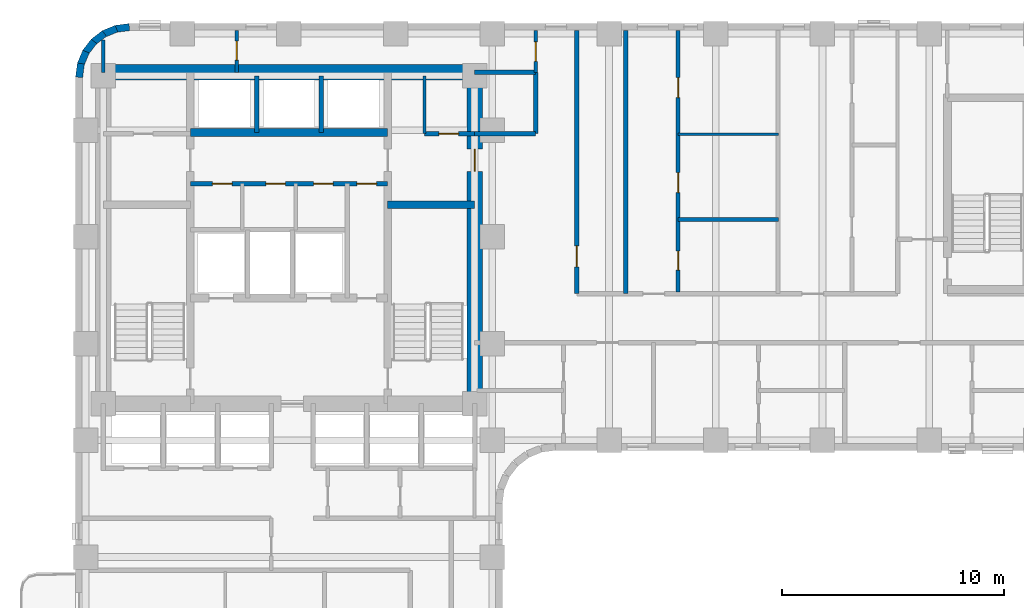
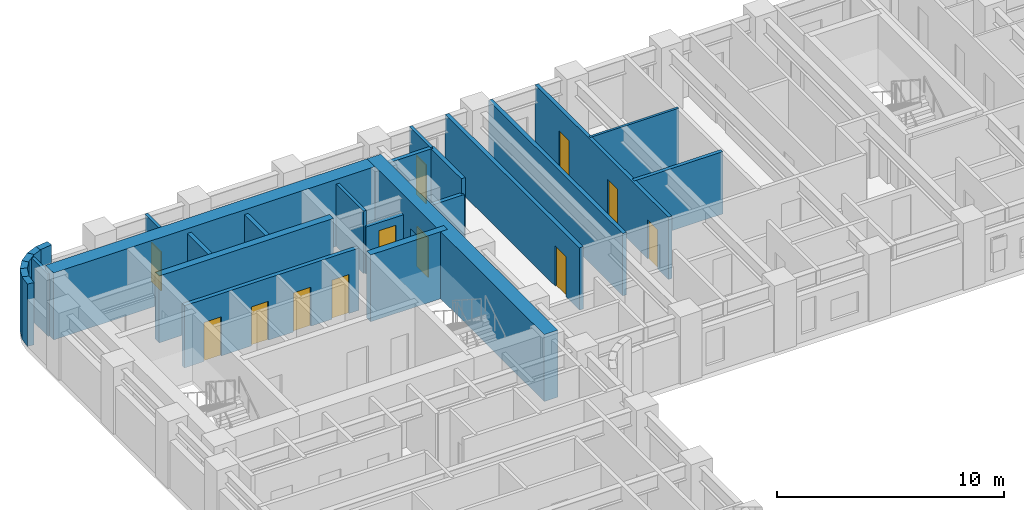
# One storey, part 6 of 11: 26 walls, 12 doors, 12 openings.
"""IFC4 building model written with IfcOpenShell, lengths in metres."""

import ifcopenshell
import ifcopenshell.guid

model = None  # the IFC model being written
_history = None  # IfcOwnerHistory: only IFC2X3 demands one
_inside = {}  # id of a spatial element -> (the spatial element, [elements in it])
_under = {}  # id of a project, library or spatial element -> (it, [spatial elements below it])
_declared = {}  # id of a project -> (the project, [libraries it declares])
_typed = {}  # id of a type object -> (the type object, [elements of that type])
_made_of = {}  # id of a material, layer set ... -> (it, [elements and type objects made of it])


def new_model(schema):
    """Start an empty IFC model of exactly this schema.

    Asked for "IFC4X3", IfcOpenShell would pick the latest addendum, in which some entities
    have other attributes; the version numbers below select the first issue.
    IFC2X3 requires an IfcOwnerHistory on every rooted entity: one is made here for all.
    """
    global model, _history
    if schema == "IFC4X3":
        model = ifcopenshell.file(schema_version=(4, 3, 0, 0))
    else:
        model = ifcopenshell.file(schema=schema)
    _inside.clear()
    _under.clear()
    _declared.clear()
    _typed.clear()
    _made_of.clear()
    _history = None
    if model.schema == "IFC2X3":
        org = make("IfcOrganization", Name="unknown")
        user = make(
            "IfcPersonAndOrganization",
            ThePerson=make("IfcPerson", FamilyName="unknown"),
            TheOrganization=org,
        )
        app = make(
            "IfcApplication",
            ApplicationDeveloper=org,
            Version="unknown",
            ApplicationFullName="unknown",
            ApplicationIdentifier="unknown",
        )
        _history = make(
            "IfcOwnerHistory",
            OwningUser=user,
            OwningApplication=app,
            ChangeAction="ADDED",
            CreationDate=0,
        )
    return model


def make(cls, **values):
    """One entity of the class cls with the attributes given. An attribute that is None is left unset."""
    return model.create_entity(
        cls, **{name: value for name, value in values.items() if value is not None}
    )


def rooted(cls, **values):
    """An entity with a GlobalId (a new one), such as an element, a storey or a relation."""
    return make(cls, GlobalId=ifcopenshell.guid.new(), OwnerHistory=_history, **values)


def si_unit(unit_type, name, prefix=None):
    """IfcSIUnit, for example si_unit("LENGTHUNIT", "METRE", prefix="MILLI")."""
    return make("IfcSIUnit", UnitType=unit_type, Prefix=prefix, Name=name)


def assignment(units):
    """IfcUnitAssignment: the units of a project."""
    return None if units is None else make("IfcUnitAssignment", Units=units)


def point(xyz):
    """IfcCartesianPoint."""
    return None if xyz is None else make("IfcCartesianPoint", Coordinates=xyz)


def direction(xyz):
    """IfcDirection."""
    return None if xyz is None else make("IfcDirection", DirectionRatios=xyz)


def frame(location, z_axis=None, x_axis=None):
    """IfcAxis2Placement3D, a coordinate frame: its origin and axes. An axis left out is left unset."""
    return make(
        "IfcAxis2Placement3D",
        Location=point(location),
        Axis=direction(z_axis),
        RefDirection=direction(x_axis),
    )


def frame_2d(location, x_axis=None):
    """IfcAxis2Placement2D, a coordinate frame in the plane: its origin and x axis."""
    return make(
        "IfcAxis2Placement2D", Location=point(location), RefDirection=direction(x_axis)
    )


def origin():
    """The frame at (0, 0, 0) with its axes left unset."""
    return frame((0.0, 0.0, 0.0))


def place(relative_to, where):
    """IfcLocalPlacement: puts the frame where relative to a parent placement (None: the world)."""
    return make(
        "IfcLocalPlacement", PlacementRelTo=relative_to, RelativePlacement=where
    )


def context(
    kind, dimensions, precision=None, world=None, true_north=None, identifier=None
):
    """IfcGeometricRepresentationContext, for example the 3D "Model" context."""
    return make(
        "IfcGeometricRepresentationContext",
        ContextIdentifier=identifier,
        ContextType=kind,
        CoordinateSpaceDimension=dimensions,
        Precision=precision,
        WorldCoordinateSystem=world,
        TrueNorth=true_north,
    )


def subcontext(parent, identifier, kind, view, scale=None):
    """IfcGeometricRepresentationSubContext, for example "Body" below "Model"."""
    return make(
        "IfcGeometricRepresentationSubContext",
        ContextIdentifier=identifier,
        ContextType=kind,
        ParentContext=parent,
        TargetScale=scale,
        TargetView=view,
    )


def project(units=None, contexts=None):
    """IfcProject with its units and contexts."""
    return rooted(
        "IfcProject",
        Name="project",
        RepresentationContexts=contexts,
        UnitsInContext=assignment(units),
    )


def spatial(cls, under=None, at=None, **own):
    """A site, building, storey or space (cls), placed at a placement, below another one or the project."""
    s = rooted(cls, ObjectPlacement=at, **own)
    if under is not None:
        _under.setdefault(under.id(), (under, []))[1].append(s)
    return s


def profile(cls, at=None, kind="AREA", **sizes):
    """A parametric profile (cls). Its sizes go by their IFC names, for example OverallWidth=200.0."""
    return make(cls, ProfileType=kind, Position=at, **sizes)


def rectangle(**sizes):
    """IfcRectangleProfileDef."""
    return profile("IfcRectangleProfileDef", **sizes)


def extrude(swept, where, along, depth):
    """IfcExtrudedAreaSolid: the profile swept, set in the frame where, extruded along a direction by depth."""
    return make(
        "IfcExtrudedAreaSolid",
        SweptArea=swept,
        Position=where,
        ExtrudedDirection=direction(along),
        Depth=depth,
    )


def shape(context_of_items, identifier, shape_type, items):
    """IfcShapeRepresentation: the items that make up one representation, for example the "Body"."""
    return make(
        "IfcShapeRepresentation",
        ContextOfItems=context_of_items,
        RepresentationIdentifier=identifier,
        RepresentationType=shape_type,
        Items=items,
    )


def material(Name=None, Category=None):
    """IfcMaterial."""
    return make("IfcMaterial", Name=Name, Category=Category)


def layer(
    of_material, thickness, ventilated=None, Name=None, Category=None, Priority=None
):
    """IfcMaterialLayer: one layer of a wall or slab, of a material (None: an air gap)."""
    return make(
        "IfcMaterialLayer",
        Material=of_material,
        LayerThickness=thickness,
        IsVentilated=ventilated,
        Name=Name,
        Category=Category,
        Priority=Priority,
    )


def layer_set(layers, Name=None):
    """IfcMaterialLayerSet."""
    return make("IfcMaterialLayerSet", MaterialLayers=layers, LayerSetName=Name)


def made_of(thing, what):
    """Note that an element or type object is made of a material, layer set ...; save() writes the relation."""
    if what is not None:
        _made_of.setdefault(what.id(), (what, []))[1].append(thing)
    return thing


def type_object(cls, material=None, **own):
    """A type object (cls), such as IfcWallType, which elements share."""
    return made_of(rooted(cls, **own), material)


def element(
    cls,
    number,
    at=None,
    inside=None,
    cuts=None,
    type_object=None,
    material=None,
    context=None,
    identifier="Body",
    shape_type=None,
    held_by="IfcProductDefinitionShape",
    body=None,
    shapes=None,
    **own,
):
    """One element of the class cls, such as IfcWall. Its Tag is "e" and its number.

    at: its placement. inside: the storey or other place that contains it. cuts: it is an
    opening in that element (IfcRelVoidsElement). A single representation is given by context,
    identifier, shape_type and body (its items); several are given by shapes. held_by: the class
    of the entity that holds the representations. save() writes the other relations.
    """
    e = rooted(cls, Tag="e%d" % number, ObjectPlacement=at, **own)
    if body is not None:
        shapes = [shape(context, identifier, shape_type, body)]
    if shapes is not None:
        e.Representation = make(held_by, Representations=shapes)
    if inside is not None:
        _inside.setdefault(inside.id(), (inside, []))[1].append(e)
    if cuts is not None:
        rooted(
            "IfcRelVoidsElement", RelatingBuildingElement=cuts, RelatedOpeningElement=e
        )
    if type_object is not None:
        _typed.setdefault(type_object.id(), (type_object, []))[1].append(e)
    return made_of(e, material)


def fill(opening, filler):
    """IfcRelFillsElement: the door or window that sits in an opening."""
    return rooted(
        "IfcRelFillsElement",
        RelatingOpeningElement=opening,
        RelatedBuildingElement=filler,
    )


def aggregate(whole, parts):
    """IfcRelAggregates: a whole, such as a stair, and the parts it consists of."""
    return rooted("IfcRelAggregates", RelatingObject=whole, RelatedObjects=parts)


def save(model, path):
    """Write the relations noted so far, then the file.

    IfcRelAggregates (storeys below a building ...), IfcRelContainedInSpatialStructure (elements
    in a storey), IfcRelDefinesByType, IfcRelAssociatesMaterial and IfcRelDeclares: one each for
    every whole, place, type object, material and project.
    """
    for whole, parts in _under.values():
        aggregate(whole, parts)
    for where, things in _inside.values():
        rooted(
            "IfcRelContainedInSpatialStructure",
            RelatedElements=things,
            RelatingStructure=where,
        )
    for kind, things in _typed.values():
        rooted("IfcRelDefinesByType", RelatedObjects=things, RelatingType=kind)
    for what, things in _made_of.values():
        rooted("IfcRelAssociatesMaterial", RelatedObjects=things, RelatingMaterial=what)
    for by, libraries in _declared.values():
        rooted("IfcRelDeclares", RelatingContext=by, RelatedDefinitions=libraries)
    model.write(path)


model = new_model("IFC4")

# Units and contexts
model_context = context("Model", 3, precision=1e-05, world=origin(), true_north=direction((0.0, 1.0)))
body_context = subcontext(model_context, "Body", "Model", "MODEL_VIEW")
ifc_project = project(units=[si_unit("LENGTHUNIT", "METRE"), si_unit("AREAUNIT", "SQUARE_METRE"), si_unit("VOLUMEUNIT", "CUBIC_METRE"), si_unit("PLANEANGLEUNIT", "RADIAN"), si_unit("MASSUNIT", "GRAM", prefix="KILO")], contexts=[model_context])

# Site, building, storey
site_placement = place(None, origin())
site = spatial("IfcSite", under=ifc_project, at=site_placement, CompositionType="ELEMENT")
building_placement = place(site_placement, origin())
building = spatial("IfcBuilding", under=site, at=building_placement, Name="Orvandelia Arch Residences", CompositionType="ELEMENT")
storey_placement = place(building_placement, frame((0.0, 0.0, 79.0)))
storey = spatial("IfcBuildingStorey", under=building, at=storey_placement, Name="L20", CompositionType="ELEMENT", Elevation=79.0)

# Walls
ifc_material_1 = material(Name="Concrete C50/60", Category="concrete")
ifc_layer_1 = layer(ifc_material_1, 0.35009765625, Name="Concrete C50/60", Category="concrete")
ifc_layer_set_1 = layer_set([ifc_layer_1], Name="Concrete C50/60")
wall_type_1 = type_object("IfcWallType", Name="WL-CORE-350", PredefinedType="SHEAR", material=ifc_layer_set_1)
wall_1_placement = place(storey_placement, frame((18.840087890625, 39.85009765625, 0.0), z_axis=(0.0, 0.0, 1.0), x_axis=(1.0, 0.0, 0.0)))
element("IfcWall", 1, at=wall_1_placement, inside=storey, type_object=wall_type_1, Name="Core Shear Wall L20-HZ2", PredefinedType="SHEAR", context=body_context, shape_type="SweptSolid", body=[
    extrude(rectangle(XDim=3.909912109375, YDim=0.35009765625, at=frame_2d((1.955078125, 0.0))), origin(), (0.0, 0.0, 1.0), 3.60009765625),
])
wall_2_placement = place(storey_placement, frame((9.9599609375, 43.10009765625, 0.0), z_axis=(0.0, 0.0, 1.0), x_axis=(1.0, 0.0, 0.0)))
element("IfcWall", 2, at=wall_2_placement, inside=storey, type_object=wall_type_1, Name="Core Shear Wall L20-HZ4", PredefinedType="SHEAR", context=body_context, shape_type="SweptSolid", body=[
    extrude(rectangle(XDim=8.880126953125, YDim=0.35009765625, at=frame_2d((4.43994140625, 0.0))), origin(), (0.0, 0.0, 1.0), 3.60009765625),
])

# Wall, opening, door
ifc_material_2 = material(Name="Concrete C80/95", Category="concrete")
ifc_layer_2 = layer(ifc_material_2, 0.699951171875, Name="Concrete C80/95", Category="concrete")
ifc_layer_set_2 = layer_set([ifc_layer_2], Name="Concrete C80/95")
wall_type_2 = type_object("IfcWallType", Name="WL-CORE-700", PredefinedType="SHEAR", material=ifc_layer_set_2)
wall_3_placement = place(storey_placement, frame((22.75, 30.550048828125, 0.0), z_axis=(0.0, 0.0, 1.0), x_axis=(0.0, 1.0, 0.0)))
wall_3 = element("IfcWall", 3, at=wall_3_placement, inside=storey, type_object=wall_type_2, Name="Core Shear Wall L20-E", PredefinedType="SHEAR", context=body_context, shape_type="SweptSolid", body=[
    extrude(rectangle(XDim=15.599853515625, YDim=0.699951171875, at=frame_2d((7.7998046875, 0.0))), origin(), (0.0, 0.0, 1.0), 3.60009765625),
])
opening_1_placement = place(wall_3_placement, frame((10.800048828125, 0.0, 0.0)))
opening_1 = element("IfcOpeningElement", 4, at=opening_1_placement, cuts=wall_3, Name="Opening D6", PredefinedType="OPENING", context=body_context, shape_type="SweptSolid", body=[
    extrude(rectangle(XDim=1.0, YDim=2.14990234375, at=frame_2d((0.5, 1.074951171875))), frame((0.0, 0.35986328125, 0.0), z_axis=(0.0, -1.0, 0.0), x_axis=(1.0, 0.0, 0.0)), (0.0, 0.0, 1.0), 0.719970703125),
])
ifc_material_3 = material(Name="Smokeproof Painted Steel Fire Door", Category="steel")
door_type_1 = type_object("IfcDoorType", Name="DR-FD60-1000", OperationType="NOTDEFINED", PredefinedType="DOOR", material=ifc_material_3)
door_1_placement = place(opening_1_placement, origin())
door_1 = element("IfcDoor", 5, at=door_1_placement, inside=storey, type_object=door_type_1, Name="Core East Corridor Link Door L20", OperationType="SINGLE_SWING_LEFT", OverallHeight=2.14990234375, OverallWidth=1.0, PredefinedType="DOOR", context=body_context, shape_type="SweptSolid", body=[
    extrude(rectangle(XDim=1.0, YDim=2.14990234375, at=frame_2d((0.5, 1.074951171875))), frame((0.0, 0.02490234375, 0.0), z_axis=(0.0, -1.0, 0.0), x_axis=(1.0, 0.0, 0.0)), (0.0, 0.0, 1.0), 0.050048828125),
])
fill(opening_1, door_1)

# Walls
wall_4_placement = place(storey_placement, frame((6.050048828125, 45.800048828125, 0.0), z_axis=(0.0, 0.0, 1.0), x_axis=(1.0, 0.0, 0.0)))
element("IfcWall", 6, at=wall_4_placement, inside=storey, type_object=wall_type_2, Name="Core Shear Wall L20-N", PredefinedType="SHEAR", context=body_context, shape_type="SweptSolid", body=[
    extrude(rectangle(XDim=16.699951171875, YDim=0.699951171875, at=frame_2d((8.35009765625, 0.0))), origin(), (0.0, 0.0, 1.0), 3.60009765625),
])
ifc_material_4 = material(Name="Fire-Rated Corridor Partition")
ifc_layer_3 = layer(ifc_material_4, 0.199951171875, Name="Fire-Rated Corridor Partition")
ifc_layer_set_3 = layer_set([ifc_layer_3], Name="Fire-Rated Corridor Partition")
wall_type_3 = type_object("IfcWallType", Name="WL-CORR-200", PredefinedType="PARTITIONING", material=ifc_layer_set_3)
wall_5_placement = place(storey_placement, frame((22.75, 45.800048828125, 0.0), z_axis=(0.0, 0.0, 1.0), x_axis=(1.0, 0.0, 0.0)))
element("IfcWall", 7, at=wall_5_placement, inside=storey, type_object=wall_type_3, Name="Interior Partition Wall WL-L20-NCE-S", PredefinedType="PARTITIONING", context=body_context, shape_type="SweptSolid", body=[
    extrude(rectangle(XDim=2.75, YDim=0.199951171875, at=frame_2d((1.375, 0.0))), origin(), (0.0, 0.0, 1.0), 3.35009765625),
])

# Wall, opening, door
wall_6_placement = place(storey_placement, frame((27.35009765625, 35.85009765625, 0.0), z_axis=(0.0, 0.0, 1.0), x_axis=(0.0, 1.0, 0.0)))
wall_6 = element("IfcWall", 8, at=wall_6_placement, inside=storey, type_object=wall_type_3, Name="Interior Partition Wall WL-L20-ES-NCE", PredefinedType="PARTITIONING", context=body_context, shape_type="SweptSolid", body=[
    extrude(rectangle(XDim=11.829833984375, YDim=0.199951171875, at=frame_2d((5.9150390625, 0.0))), origin(), (0.0, 0.0, 1.0), 3.35009765625),
])
opening_2_placement = place(wall_6_placement, frame((1.199951171875, 0.0, 0.0)))
opening_2 = element("IfcOpeningElement", 9, at=opening_2_placement, cuts=wall_6, Name="Opening D2", PredefinedType="OPENING", context=body_context, shape_type="SweptSolid", body=[
    extrude(rectangle(XDim=0.949951171875, YDim=2.14990234375, at=frame_2d((0.47509765625, 1.074951171875))), frame((0.0, 0.10986328125, 0.0), z_axis=(0.0, -1.0, 0.0), x_axis=(1.0, 0.0, 0.0)), (0.0, 0.0, 1.0), 0.219970703125),
])
ifc_material_5 = material(Name="Solid-Core Timber Interior Fire Door", Category="wood")
door_type_2 = type_object("IfcDoorType", Name="DR-APT-950", OperationType="NOTDEFINED", PredefinedType="DOOR", material=ifc_material_5)
door_2_placement = place(opening_2_placement, origin())
door_2 = element("IfcDoor", 10, at=door_2_placement, inside=storey, type_object=door_type_2, Name="DR-L20-ESLDY", OperationType="SINGLE_SWING_RIGHT", OverallHeight=2.14990234375, OverallWidth=0.949951171875, PredefinedType="DOOR", context=body_context, shape_type="SweptSolid", body=[
    extrude(rectangle(XDim=0.949951171875, YDim=2.14990234375, at=frame_2d((0.47509765625, 1.074951171875))), frame((0.0, 0.02490234375, 0.0), z_axis=(0.0, -1.0, 0.0), x_axis=(1.0, 0.0, 0.0)), (0.0, 0.0, 1.0), 0.050048828125),
])
fill(opening_2, door_2)

# Walls
wall_7_placement = place(storey_placement, frame((22.75, 43.050048828125, 0.0), z_axis=(0.0, 0.0, 1.0), x_axis=(1.0, 0.0, 0.0)))
element("IfcWall", 11, at=wall_7_placement, inside=storey, type_object=wall_type_3, Name="Interior Partition Wall WL-L20-ES-LS", PredefinedType="PARTITIONING", context=body_context, shape_type="SweptSolid", body=[
    extrude(rectangle(XDim=2.75, YDim=0.199951171875, at=frame_2d((1.375, 0.0))), origin(), (0.0, 0.0, 1.0), 2.530029296875),
])
wall_8_placement = place(storey_placement, frame((25.5, 43.050048828125, 0.0), z_axis=(0.0, 0.0, 1.0), x_axis=(0.0, 1.0, 0.0)))
element("IfcWall", 12, at=wall_8_placement, inside=storey, type_object=wall_type_3, Name="Interior Partition Wall WL-L20-ES-LW2", PredefinedType="PARTITIONING", context=body_context, shape_type="SweptSolid", body=[
    extrude(rectangle(XDim=2.75, YDim=0.199951171875, at=frame_2d((1.375, 0.0))), origin(), (0.0, 0.0, 1.0), 3.35009765625),
])
ifc_material_6 = material(Name="Concrete C40/50", Category="concrete")
ifc_layer_4 = layer(ifc_material_6, 0.199951171875, Name="Concrete C40/50", Category="concrete")
ifc_layer_set_4 = layer_set([ifc_layer_4], Name="Concrete C40/50")
wall_type_4 = type_object("IfcWallType", Name="WL-DEM-200", PredefinedType="SOLIDWALL", material=ifc_layer_set_4)
wall_9_placement = place(storey_placement, frame((29.550048828125, 35.85009765625, 0.0), z_axis=(0.0, 0.0, 1.0), x_axis=(0.0, 1.0, 0.0)))
element("IfcWall", 13, at=wall_9_placement, inside=storey, type_object=wall_type_4, Name="Interior Partition Wall WL-L20-ES-LDE", PredefinedType="SOLIDWALL", context=body_context, shape_type="SweptSolid", body=[
    extrude(rectangle(XDim=11.829833984375, YDim=0.199951171875, at=frame_2d((5.9150390625, 0.0))), origin(), (0.0, 0.0, 1.0), 3.35009765625),
])
ifc_material_7 = material(Name="Precast concrete C40/50", Category="concrete")
ifc_layer_5 = layer(ifc_material_7, 0.320068359375, Name="Precast concrete C40/50", Category="concrete")
ifc_layer_set_5 = layer_set([ifc_layer_5], Name="Precast concrete C40/50")
wall_type_5 = type_object("IfcWallType", Name="WL-EXT-STONE-320", PredefinedType="STANDARD", material=ifc_layer_set_5)
for number, where, z_axis, x_axis, name in (
    (14, (4.95849609375, 45.5791015625, 0.0), (0.0, 0.0, 1.0), (0.130555323746, 0.9914410257, 0.0), "Coral-Limestone Precast Facade Wall L20-001"),
    (15, (5.029541015625, 46.159912109375, 0.0), (0.0, 0.0, 1.0), (0.382650053678, 0.92389335771, 0.0), "Coral-Limestone Precast Facade Wall L20-002"),
):
    element("IfcWall", number, at=place(storey_placement, frame(where, z_axis=z_axis, x_axis=x_axis)), inside=storey, type_object=wall_type_5, Name=name, PredefinedType="STANDARD", context=body_context, shape_type="SweptSolid", body=[
        extrude(rectangle(XDim=0.62646484375, YDim=0.320068359375, at=frame_2d((0.313232421875, 0.0))), origin(), (0.0, 0.0, 1.0), 3.35009765625),
    ])
wall_10_placement = place(storey_placement, frame((5.248291015625, 46.70263671875, 0.0), z_axis=(0.0, 0.0, 1.0), x_axis=(0.608938521285, 0.7932174212, 0.0)))
element("IfcWall", 16, at=wall_10_placement, inside=storey, type_object=wall_type_5, Name="Coral-Limestone Precast Facade Wall L20-003", PredefinedType="STANDARD", context=body_context, shape_type="SweptSolid", body=[
    extrude(rectangle(XDim=0.626708984375, YDim=0.320068359375, at=frame_2d((0.3134765625, 0.0))), origin(), (0.0, 0.0, 1.0), 3.35009765625),
])
wall_11_placement = place(storey_placement, frame((5.600341796875, 47.170166015625, 0.0), z_axis=(0.0, 0.0, 1.0), x_axis=(0.793405610854, 0.608693302629, 0.0)))
element("IfcWall", 17, at=wall_11_placement, inside=storey, type_object=wall_type_5, Name="Coral-Limestone Precast Facade Wall L20-004", PredefinedType="STANDARD", context=body_context, shape_type="SweptSolid", body=[
    extrude(rectangle(XDim=0.62646484375, YDim=0.320068359375, at=frame_2d((0.313232421875, 0.0))), origin(), (0.0, 0.0, 1.0), 3.35009765625),
])
wall_12_placement = place(storey_placement, frame((6.061279296875, 47.53076171875, 0.0), z_axis=(0.0, 0.0, 1.0), x_axis=(0.923836271867, 0.382787856107, 0.0)))
element("IfcWall", 18, at=wall_12_placement, inside=storey, type_object=wall_type_5, Name="Coral-Limestone Precast Facade Wall L20-005", PredefinedType="STANDARD", context=body_context, shape_type="SweptSolid", body=[
    extrude(rectangle(XDim=0.626220703125, YDim=0.320068359375, at=frame_2d((0.31298828125, 0.0))), origin(), (0.0, 0.0, 1.0), 3.35009765625),
])
wall_13_placement = place(storey_placement, frame((6.599609375, 47.759521484375, 0.0), z_axis=(0.0, 0.0, 1.0), x_axis=(0.991447664465, 0.130504898859, 0.0)))
element("IfcWall", 19, at=wall_13_placement, inside=storey, type_object=wall_type_5, Name="Coral-Limestone Precast Facade Wall L20-006", PredefinedType="STANDARD", context=body_context, shape_type="SweptSolid", body=[
    extrude(rectangle(XDim=0.626708984375, YDim=0.320068359375, at=frame_2d((0.3134765625, 0.0))), origin(), (0.0, 0.0, 1.0), 3.35009765625),
])
ifc_material_8 = material(Name="Lightweight Gypsum Stud Partition")
ifc_layer_6 = layer(ifc_material_8, 0.1201171875, Name="Lightweight Gypsum Stud Partition")
ifc_layer_set_6 = layer_set([ifc_layer_6], Name="Lightweight Gypsum Stud Partition")
wall_type_6 = type_object("IfcWallType", Name="WL-PART-120", PredefinedType="PARTITIONING", material=ifc_layer_set_6)
wall_14_placement = place(storey_placement, frame((31.909912109375, 43.01611328125, 0.0), z_axis=(0.0, 0.0, 1.0), x_axis=(1.0, 0.0, 0.0)))
element("IfcWall", 20, at=wall_14_placement, inside=storey, type_object=wall_type_6, Name="Interior Partition Wall WL-L20-U08-H2", PredefinedType="PARTITIONING", context=body_context, shape_type="SweptSolid", body=[
    extrude(rectangle(XDim=4.510009765625, YDim=0.1201171875, at=frame_2d((2.2548828125, 0.0))), origin(), (0.0, 0.0, 1.0), 3.35009765625),
])
ifc_material_9 = material(Name="Acoustic Gypsum Stud Partition")
ifc_layer_7 = layer(ifc_material_9, 0.14990234375, Name="Acoustic Gypsum Stud Partition")
ifc_layer_set_7 = layer_set([ifc_layer_7], Name="Acoustic Gypsum Stud Partition")
wall_type_7 = type_object("IfcWallType", Name="WL-PART-150", PredefinedType="PARTITIONING", material=ifc_layer_set_7)
wall_15_placement = place(storey_placement, frame((20.5, 43.050048828125, 0.0), z_axis=(0.0, 0.0, 1.0), x_axis=(0.0, 1.0, 0.0)))
element("IfcWall", 21, at=wall_15_placement, inside=storey, type_object=wall_type_7, Name="Interior Partition Wall WL-L20-CSB-2W", PredefinedType="PARTITIONING", context=body_context, shape_type="SweptSolid", body=[
    extrude(rectangle(XDim=2.599853515625, YDim=0.14990234375, at=frame_2d((1.2998046875, 0.0))), origin(), (0.0, 0.0, 1.0), 3.35009765625),
])

# Wall, opening, door
wall_16_placement = place(storey_placement, frame((25.5, 45.800048828125, 0.0), z_axis=(0.0, 0.0, 1.0), x_axis=(0.0, 1.0, 0.0)))
wall_16 = element("IfcWall", 22, at=wall_16_placement, inside=storey, type_object=wall_type_7, Name="Interior Partition Wall WL-L20-NCE-W", PredefinedType="PARTITIONING", context=body_context, shape_type="SweptSolid", body=[
    extrude(rectangle(XDim=1.8798828125, YDim=0.14990234375, at=frame_2d((0.93994140625, 0.0))), origin(), (0.0, 0.0, 1.0), 3.35009765625),
])
opening_3_placement = place(wall_16_placement, frame((0.5, 0.0, 0.0)))
opening_3 = element("IfcOpeningElement", 23, at=opening_3_placement, cuts=wall_16, Name="Opening D5", PredefinedType="OPENING", context=body_context, shape_type="SweptSolid", body=[
    extrude(rectangle(XDim=0.8798828125, YDim=2.10009765625, at=frame_2d((0.43994140625, 1.050048828125))), frame((0.0, 0.0849609375, 0.0), z_axis=(0.0, -1.0, 0.0), x_axis=(1.0, 0.0, 0.0)), (0.0, 0.0, 1.0), 0.169921875),
])
ifc_material_10 = material(Name="Painted Galvanised Steel Service Door", Category="steel")
door_type_3 = type_object("IfcDoorType", Name="DR-SRV-880", OperationType="NOTDEFINED", PredefinedType="DOOR", material=ifc_material_10)
door_3_placement = place(opening_3_placement, origin())
door_3 = element("IfcDoor", 24, at=door_3_placement, inside=storey, type_object=door_type_3, Name="DR-L20-NCS2", OperationType="SINGLE_SWING_LEFT", OverallHeight=2.10009765625, OverallWidth=0.8798828125, PredefinedType="DOOR", context=body_context, shape_type="SweptSolid", body=[
    extrude(rectangle(XDim=0.8798828125, YDim=2.10009765625, at=frame_2d((0.43994140625, 1.050048828125))), frame((0.0, 0.02490234375, 0.0), z_axis=(0.0, -1.0, 0.0), x_axis=(1.0, 0.0, 0.0)), (0.0, 0.0, 1.0), 0.050048828125),
])
fill(opening_3, door_3)

# Wall
wall_17_placement = place(storey_placement, frame((6.050048828125, 45.800048828125, 0.0), z_axis=(0.0, 0.0, 1.0), x_axis=(0.0, 1.0, 0.0)))
element("IfcWall", 25, at=wall_17_placement, inside=storey, type_object=wall_type_7, Name="Interior Partition Wall WL-L20-NC-W6", PredefinedType="PARTITIONING", context=body_context, shape_type="SweptSolid", body=[
    extrude(rectangle(XDim=1.4599609375, YDim=0.14990234375, at=frame_2d((0.72998046875, 0.0))), origin(), (0.0, 0.0, 1.0), 3.35009765625),
])

# Wall, opening, door
wall_18_placement = place(storey_placement, frame((12.050048828125, 45.800048828125, 0.0), z_axis=(0.0, 0.0, 1.0), x_axis=(0.0, 1.0, 0.0)))
wall_18 = element("IfcWall", 26, at=wall_18_placement, inside=storey, type_object=wall_type_7, Name="Interior Partition Wall WL-L20-NC-M", PredefinedType="PARTITIONING", context=body_context, shape_type="SweptSolid", body=[
    extrude(rectangle(XDim=1.8798828125, YDim=0.14990234375, at=frame_2d((0.93994140625, 0.0))), origin(), (0.0, 0.0, 1.0), 3.35009765625),
])
opening_4_placement = place(wall_18_placement, frame((0.550048828125, 0.0, 0.0)))
opening_4 = element("IfcOpeningElement", 27, at=opening_4_placement, cuts=wall_18, Name="Opening D4", PredefinedType="OPENING", context=body_context, shape_type="SweptSolid", body=[
    extrude(rectangle(XDim=0.860107421875, YDim=2.10009765625, at=frame_2d((0.43017578125, 1.050048828125))), frame((0.0, 0.0849609375, 0.0), z_axis=(0.0, -1.0, 0.0), x_axis=(1.0, 0.0, 0.0)), (0.0, 0.0, 1.0), 0.169921875),
])
ifc_material_11 = material(Name="Moisture-Sealed Timber Bathroom Door", Category="wood")
door_type_4 = type_object("IfcDoorType", Name="DR-WET-900", OperationType="NOTDEFINED", PredefinedType="DOOR", material=ifc_material_11)
door_4_placement = place(opening_4_placement, origin())
door_4 = element("IfcDoor", 28, at=door_4_placement, inside=storey, type_object=door_type_4, Name="DR-L20-NCS1", OperationType="SINGLE_SWING_LEFT", OverallHeight=2.10009765625, OverallWidth=0.860107421875, PredefinedType="DOOR", context=body_context, shape_type="SweptSolid", body=[
    extrude(rectangle(XDim=0.860107421875, YDim=2.10009765625, at=frame_2d((0.43017578125, 1.050048828125))), frame((0.0, 0.02490234375, 0.0), z_axis=(0.0, -1.0, 0.0), x_axis=(1.0, 0.0, 0.0)), (0.0, 0.0, 1.0), 0.050048828125),
])
fill(opening_4, door_4)

# Wall, openings, doors
ifc_material_12 = material(Name="Fire-Rated Shaft Enclosure Wall")
ifc_layer_8 = layer(ifc_material_12, 0.199951171875, Name="Fire-Rated Shaft Enclosure Wall")
ifc_layer_set_8 = layer_set([ifc_layer_8], Name="Fire-Rated Shaft Enclosure Wall")
wall_type_8 = type_object("IfcWallType", Name="WL-SHAFT-200", PredefinedType="POLYGONAL", material=ifc_layer_set_8)
wall_19_placement = place(storey_placement, frame((9.9599609375, 40.800048828125, 0.0), z_axis=(0.0, 0.0, 1.0), x_axis=(1.0, 0.0, 0.0)))
wall_19 = element("IfcWall", 29, at=wall_19_placement, inside=storey, type_object=wall_type_8, Name="Interior Partition Wall WL-L20-HLH-S", PredefinedType="POLYGONAL", context=body_context, shape_type="SweptSolid", body=[
    extrude(rectangle(XDim=8.880126953125, YDim=0.199951171875, at=frame_2d((4.43994140625, 0.0))), origin(), (0.0, 0.0, 1.0), 3.35009765625),
])
opening_5_placement = place(wall_19_placement, frame((7.5, 0.0, 0.0)))
opening_5 = element("IfcOpeningElement", 30, at=opening_5_placement, cuts=wall_19, Name="Opening D5", PredefinedType="OPENING", context=body_context, shape_type="SweptSolid", body=[
    extrude(rectangle(XDim=0.8798828125, YDim=2.10009765625, at=frame_2d((0.43994140625, 1.050048828125))), frame((0.0, 0.10986328125, 0.0), z_axis=(0.0, -1.0, 0.0), x_axis=(1.0, 0.0, 0.0)), (0.0, 0.0, 1.0), 0.219970703125),
])
opening_6_placement = place(wall_19_placement, frame((1.0, 0.0, 0.0)))
opening_6 = element("IfcOpeningElement", 31, at=opening_6_placement, cuts=wall_19, Name="Opening D5", PredefinedType="OPENING", context=body_context, shape_type="SweptSolid", body=[
    extrude(rectangle(XDim=0.8798828125, YDim=2.10009765625, at=frame_2d((0.43994140625, 1.050048828125))), frame((0.0, 0.10986328125, 0.0), z_axis=(0.0, -1.0, 0.0), x_axis=(1.0, 0.0, 0.0)), (0.0, 0.0, 1.0), 0.219970703125),
])
opening_7_placement = place(wall_19_placement, frame((3.39990234375, 0.0, 0.0)))
opening_7 = element("IfcOpeningElement", 32, at=opening_7_placement, cuts=wall_19, Name="Opening D5", PredefinedType="OPENING", context=body_context, shape_type="SweptSolid", body=[
    extrude(rectangle(XDim=0.8798828125, YDim=2.10009765625, at=frame_2d((0.43994140625, 1.050048828125))), frame((0.0, 0.10986328125, 0.0), z_axis=(0.0, -1.0, 0.0), x_axis=(1.0, 0.0, 0.0)), (0.0, 0.0, 1.0), 0.219970703125),
])
opening_8_placement = place(wall_19_placement, frame((5.550048828125, 0.0, 0.0)))
opening_8 = element("IfcOpeningElement", 33, at=opening_8_placement, cuts=wall_19, Name="Opening D5", PredefinedType="OPENING", context=body_context, shape_type="SweptSolid", body=[
    extrude(rectangle(XDim=0.8798828125, YDim=2.10009765625, at=frame_2d((0.43994140625, 1.050048828125))), frame((0.0, 0.10986328125, 0.0), z_axis=(0.0, -1.0, 0.0), x_axis=(1.0, 0.0, 0.0)), (0.0, 0.0, 1.0), 0.219970703125),
])
door_5_placement = place(opening_5_placement, origin())
door_5 = element("IfcDoor", 34, at=door_5_placement, inside=storey, type_object=door_type_3, Name="Core Stairway Passage North Fire Door L20", OperationType="SINGLE_SWING_RIGHT", OverallHeight=2.10009765625, OverallWidth=0.8798828125, PredefinedType="DOOR", context=body_context, shape_type="SweptSolid", body=[
    extrude(rectangle(XDim=0.8798828125, YDim=2.10009765625, at=frame_2d((0.43994140625, 1.050048828125))), frame((0.0, 0.02490234375, 0.0), z_axis=(0.0, -1.0, 0.0), x_axis=(1.0, 0.0, 0.0)), (0.0, 0.0, 1.0), 0.050048828125),
])
fill(opening_5, door_5)
door_6_placement = place(opening_6_placement, origin())
door_6 = element("IfcDoor", 35, at=door_6_placement, inside=storey, type_object=door_type_3, Name="DR-L20-CSA1", OperationType="SINGLE_SWING_LEFT", OverallHeight=2.10009765625, OverallWidth=0.8798828125, PredefinedType="DOOR", context=body_context, shape_type="SweptSolid", body=[
    extrude(rectangle(XDim=0.8798828125, YDim=2.10009765625, at=frame_2d((0.43994140625, 1.050048828125))), frame((0.0, 0.02490234375, 0.0), z_axis=(0.0, -1.0, 0.0), x_axis=(1.0, 0.0, 0.0)), (0.0, 0.0, 1.0), 0.050048828125),
])
fill(opening_6, door_6)
door_7_placement = place(opening_7_placement, origin())
door_7 = element("IfcDoor", 36, at=door_7_placement, inside=storey, type_object=door_type_3, Name="DR-L20-CSA2", OperationType="SINGLE_SWING_RIGHT", OverallHeight=2.10009765625, OverallWidth=0.8798828125, PredefinedType="DOOR", context=body_context, shape_type="SweptSolid", body=[
    extrude(rectangle(XDim=0.8798828125, YDim=2.10009765625, at=frame_2d((0.43994140625, 1.050048828125))), frame((0.0, 0.02490234375, 0.0), z_axis=(0.0, -1.0, 0.0), x_axis=(1.0, 0.0, 0.0)), (0.0, 0.0, 1.0), 0.050048828125),
])
fill(opening_7, door_7)
door_8_placement = place(opening_8_placement, origin())
door_8 = element("IfcDoor", 37, at=door_8_placement, inside=storey, type_object=door_type_3, Name="DR-L20-CSA3", OperationType="SINGLE_SWING_LEFT", OverallHeight=2.10009765625, OverallWidth=0.8798828125, PredefinedType="DOOR", context=body_context, shape_type="SweptSolid", body=[
    extrude(rectangle(XDim=0.8798828125, YDim=2.10009765625, at=frame_2d((0.43994140625, 1.050048828125))), frame((0.0, 0.02490234375, 0.0), z_axis=(0.0, -1.0, 0.0), x_axis=(1.0, 0.0, 0.0)), (0.0, 0.0, 1.0), 0.050048828125),
])
fill(opening_8, door_8)

# Wall, opening, door
wall_20_placement = place(storey_placement, frame((20.5, 43.050048828125, 0.0), z_axis=(0.0, 0.0, 1.0), x_axis=(1.0, 0.0, 0.0)))
wall_20 = element("IfcWall", 38, at=wall_20_placement, inside=storey, type_object=wall_type_8, Name="Interior Partition Wall WL-L20-HLE-N", PredefinedType="POLYGONAL", context=body_context, shape_type="SweptSolid", body=[
    extrude(rectangle(XDim=2.25, YDim=0.199951171875, at=frame_2d((1.125, 0.0))), origin(), (0.0, 0.0, 1.0), 2.530029296875),
])
opening_9_placement = place(wall_20_placement, frame((0.64990234375, 0.0, 0.0)))
opening_9 = element("IfcOpeningElement", 39, at=opening_9_placement, cuts=wall_20, Name="Opening D5", PredefinedType="OPENING", context=body_context, shape_type="SweptSolid", body=[
    extrude(rectangle(XDim=0.8798828125, YDim=2.10009765625, at=frame_2d((0.43994140625, 1.050048828125))), frame((0.0, 0.10986328125, 0.0), z_axis=(0.0, -1.0, 0.0), x_axis=(1.0, 0.0, 0.0)), (0.0, 0.0, 1.0), 0.219970703125),
])
door_9_placement = place(opening_9_placement, origin())
door_9 = element("IfcDoor", 40, at=door_9_placement, inside=storey, type_object=door_type_3, Name="DR-L20-CSB1", OperationType="SINGLE_SWING_RIGHT", OverallHeight=2.10009765625, OverallWidth=0.8798828125, PredefinedType="DOOR", context=body_context, shape_type="SweptSolid", body=[
    extrude(rectangle(XDim=0.8798828125, YDim=2.10009765625, at=frame_2d((0.43994140625, 1.050048828125))), frame((0.0, 0.02490234375, 0.0), z_axis=(0.0, -1.0, 0.0), x_axis=(1.0, 0.0, 0.0)), (0.0, 0.0, 1.0), 0.050048828125),
])
fill(opening_9, door_9)

# Walls
for number, where, z_axis, x_axis, name in (
    (41, (12.949951171875, 43.10009765625, 0.0), (0.0, 0.0, 1.0), (0.0, 1.0, 0.0), "Interior Partition Wall WL-L20-PHD1"),
    (42, (15.85009765625, 43.10009765625, 0.0), (0.0, 0.0, 1.0), (0.0, 1.0, 0.0), "Interior Partition Wall WL-L20-PHD2"),
):
    element("IfcWall", number, at=place(storey_placement, frame(where, z_axis=z_axis, x_axis=x_axis)), inside=storey, type_object=wall_type_8, Name=name, PredefinedType="POLYGONAL", context=body_context, shape_type="SweptSolid", body=[
        extrude(rectangle(XDim=2.5498046875, YDim=0.199951171875, at=frame_2d((1.27490234375, 0.0))), origin(), (0.0, 0.0, 1.0), 3.35009765625),
    ])

# Wall, openings, doors
ifc_material_13 = material(Name="Moisture-Resistant Plumbing Wall")
ifc_layer_9 = layer(ifc_material_13, 0.179931640625, Name="Moisture-Resistant Plumbing Wall")
ifc_layer_set_9 = layer_set([ifc_layer_9], Name="Moisture-Resistant Plumbing Wall")
wall_type_9 = type_object("IfcWallType", Name="WL-WET-180", PredefinedType="PLUMBINGWALL", material=ifc_layer_set_9)
wall_21_placement = place(storey_placement, frame((31.909912109375, 35.929931640625, 0.0), z_axis=(0.0, 0.0, 1.0), x_axis=(0.0, 1.0, 0.0)))
wall_21 = element("IfcWall", 43, at=wall_21_placement, inside=storey, type_object=wall_type_9, Name="Interior Partition Wall WL-L20-U08-VT", PredefinedType="PLUMBINGWALL", context=body_context, shape_type="SweptSolid", body=[
    extrude(rectangle(XDim=11.75, YDim=0.179931640625, at=frame_2d((5.875, 0.0))), origin(), (0.0, 0.0, 1.0), 3.35009765625),
])
opening_10_placement = place(wall_21_placement, frame((0.971923828125, 0.0, 0.0)))
opening_10 = element("IfcOpeningElement", 44, at=opening_10_placement, cuts=wall_21, Name="Opening D4", PredefinedType="OPENING", context=body_context, shape_type="SweptSolid", body=[
    extrude(rectangle(XDim=0.860107421875, YDim=2.10009765625, at=frame_2d((0.43017578125, 1.050048828125))), frame((0.0, 0.10009765625, 0.0), z_axis=(0.0, -1.0, 0.0), x_axis=(1.0, 0.0, 0.0)), (0.0, 0.0, 1.0), 0.199951171875),
])
opening_11_placement = place(wall_21_placement, frame((4.464111328125, 0.0, 0.0)))
opening_11 = element("IfcOpeningElement", 45, at=opening_11_placement, cuts=wall_21, Name="Opening D3", PredefinedType="OPENING", context=body_context, shape_type="SweptSolid", body=[
    extrude(rectangle(XDim=0.89990234375, YDim=2.14990234375, at=frame_2d((0.449951171875, 1.074951171875))), frame((0.0, 0.10009765625, 0.0), z_axis=(0.0, -1.0, 0.0), x_axis=(1.0, 0.0, 0.0)), (0.0, 0.0, 1.0), 0.199951171875),
])
opening_12_placement = place(wall_21_placement, frame((8.7392578125, 0.0, 0.0)))
opening_12 = element("IfcOpeningElement", 46, at=opening_12_placement, cuts=wall_21, Name="Opening D3", PredefinedType="OPENING", context=body_context, shape_type="SweptSolid", body=[
    extrude(rectangle(XDim=0.89990234375, YDim=2.14990234375, at=frame_2d((0.449951171875, 1.074951171875))), frame((0.0, 0.10009765625, 0.0), z_axis=(0.0, -1.0, 0.0), x_axis=(1.0, 0.0, 0.0)), (0.0, 0.0, 1.0), 0.199951171875),
])
ifc_material_14 = material(Name="Engineered Timber Flush Door", Category="wood")
door_type_5 = type_object("IfcDoorType", Name="DR-INT-900", OperationType="NOTDEFINED", PredefinedType="DOOR", material=ifc_material_14)
door_10_placement = place(opening_11_placement, origin())
door_10 = element("IfcDoor", 47, at=door_10_placement, inside=storey, type_object=door_type_5, Name="DR-L20-U08-KIT", OperationType="SINGLE_SWING_RIGHT", OverallHeight=2.14990234375, OverallWidth=0.89990234375, PredefinedType="DOOR", context=body_context, shape_type="SweptSolid", body=[
    extrude(rectangle(XDim=0.89990234375, YDim=2.14990234375, at=frame_2d((0.449951171875, 1.074951171875))), frame((0.0, 0.02490234375, 0.0), z_axis=(0.0, -1.0, 0.0), x_axis=(1.0, 0.0, 0.0)), (0.0, 0.0, 1.0), 0.050048828125),
])
fill(opening_11, door_10)
door_11_placement = place(opening_12_placement, origin())
door_11 = element("IfcDoor", 48, at=door_11_placement, inside=storey, type_object=door_type_5, Name="DR-L20-U08-BD1", OperationType="SINGLE_SWING_LEFT", OverallHeight=2.14990234375, OverallWidth=0.89990234375, PredefinedType="DOOR", context=body_context, shape_type="SweptSolid", body=[
    extrude(rectangle(XDim=0.89990234375, YDim=2.14990234375, at=frame_2d((0.449951171875, 1.074951171875))), frame((0.0, 0.02490234375, 0.0), z_axis=(0.0, -1.0, 0.0), x_axis=(1.0, 0.0, 0.0)), (0.0, 0.0, 1.0), 0.050048828125),
])
fill(opening_12, door_11)
door_12_placement = place(opening_10_placement, origin())
door_12 = element("IfcDoor", 49, at=door_12_placement, inside=storey, type_object=door_type_4, Name="DR-L20-U08-BTH", OperationType="SINGLE_SWING_LEFT", OverallHeight=2.10009765625, OverallWidth=0.860107421875, PredefinedType="DOOR", context=body_context, shape_type="SweptSolid", body=[
    extrude(rectangle(XDim=0.860107421875, YDim=2.10009765625, at=frame_2d((0.43017578125, 1.050048828125))), frame((0.0, 0.02490234375, 0.0), z_axis=(0.0, -1.0, 0.0), x_axis=(1.0, 0.0, 0.0)), (0.0, 0.0, 1.0), 0.050048828125),
])
fill(opening_10, door_12)

# Wall
wall_22_placement = place(storey_placement, frame((31.909912109375, 39.18994140625, 0.0), z_axis=(0.0, 0.0, 1.0), x_axis=(1.0, 0.0, 0.0)))
element("IfcWall", 50, at=wall_22_placement, inside=storey, type_object=wall_type_9, Name="Interior Partition Wall WL-L20-U08-H1", PredefinedType="PLUMBINGWALL", context=body_context, shape_type="SweptSolid", body=[
    extrude(rectangle(XDim=4.510009765625, YDim=0.179931640625, at=frame_2d((2.2548828125, 0.0))), origin(), (0.0, 0.0, 1.0), 3.35009765625),
])

save(model, "model.ifc")
